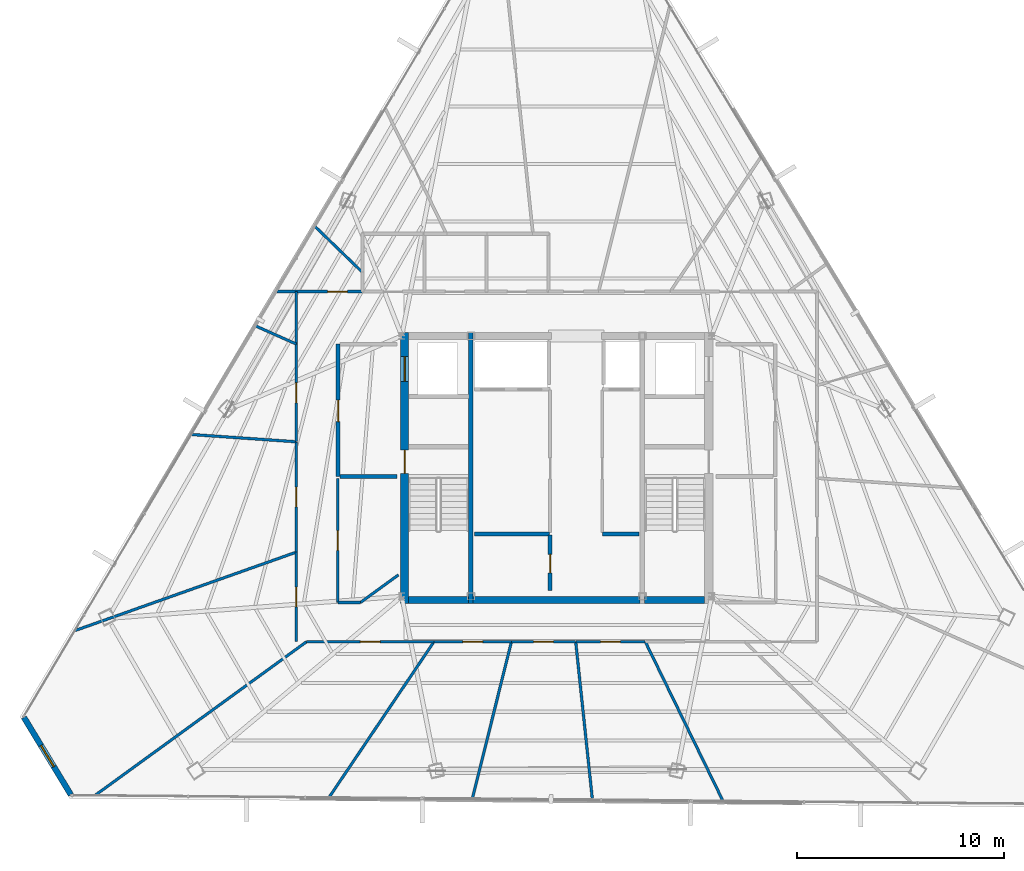
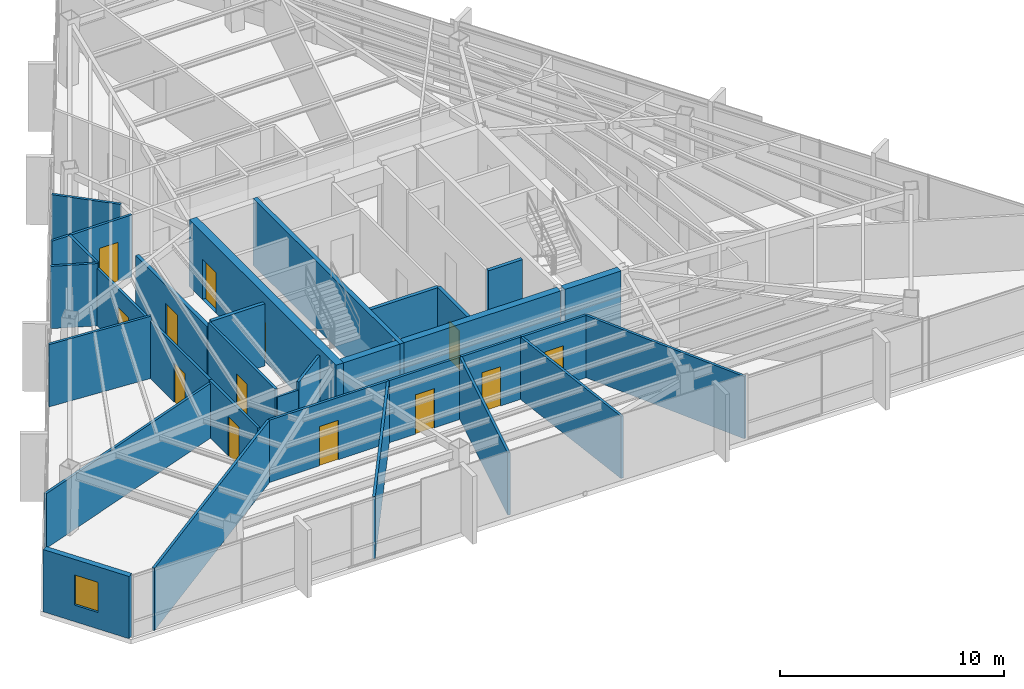
# One storey, part 41 of 46: 32 walls, 13 doors, 1 window, 14 openings.
"""IFC4 building model written with IfcOpenShell, lengths in metres."""

from ifc_helpers import new_model, si_unit, direction, frame, frame_2d, origin, place, context, subcontext, project, spatial, rectangle, extrude, material, layer, layer_set, type_object, element, fill, save


model = new_model("IFC4")

# Units and contexts
model_context = context("Model", 3, precision=1e-05, world=origin(), true_north=direction((0.0, 1.0)))
body_context = subcontext(model_context, "Body", "Model", "MODEL_VIEW")
ifc_project = project(units=[si_unit("LENGTHUNIT", "METRE"), si_unit("AREAUNIT", "SQUARE_METRE"), si_unit("VOLUMEUNIT", "CUBIC_METRE"), si_unit("PLANEANGLEUNIT", "RADIAN"), si_unit("MASSUNIT", "GRAM", prefix="KILO")], contexts=[model_context])

# Site, building, storey
site_placement = place(None, origin())
site = spatial("IfcSite", under=ifc_project, at=site_placement, CompositionType="ELEMENT")
building_placement = place(site_placement, origin())
building = spatial("IfcBuilding", under=site, at=building_placement, Name="Caelisora Broadcast Tower", CompositionType="ELEMENT")
storey_placement = place(building_placement, frame((0.0, 0.0, 237.14990234375)))
storey = spatial("IfcBuildingStorey", under=building, at=storey_placement, Name="L62", CompositionType="ELEMENT", Elevation=237.14990234375)

# Wall, openings, doors
ifc_material_1 = material(Name="Concrete 40 MPa (AS 3600 N40)", Category="concrete")
ifc_layer_1 = layer(ifc_material_1, 0.39990234375, Name="Concrete 40 MPa (AS 3600 N40)")
ifc_layer_set_1 = layer_set([ifc_layer_1], Name="Concrete 40 MPa (AS 3600 N40)")
wall_type_1 = type_object("IfcWallType", Name="CW3", PredefinedType="SHEAR", material=ifc_layer_set_1)
wall_1_placement = place(storey_placement, frame((30.639892578125, 17.050048828125, 0.0), z_axis=(0.0, 0.0, 1.0), x_axis=(0.0, 1.0, 0.0)))
wall_1 = element("IfcWall", 1, at=wall_1_placement, inside=storey, type_object=wall_type_1, Name="L62 core shear wall CW3", PredefinedType="SHEAR", context=body_context, shape_type="SweptSolid", body=[
    extrude(rectangle(XDim=13.125, YDim=0.39990234375, at=frame_2d((6.5625, 0.0))), origin(), (0.0, 0.0, 1.0), 3.650146484375),
])
opening_1_placement = place(wall_1_placement, frame((6.300048828125, 0.0, 0.0)))
opening_1 = element("IfcOpeningElement", 2, at=opening_1_placement, cuts=wall_1, Name="Opening FD04", PredefinedType="OPENING", context=body_context, shape_type="SweptSolid", body=[
    extrude(rectangle(XDim=1.1201171875, YDim=2.14990234375, at=frame_2d((0.56005859375, 1.074951171875))), frame((0.0, 0.2119140625, 0.0), z_axis=(0.0, -1.0, 0.0), x_axis=(1.0, 0.0, 0.0)), (0.0, 0.0, 1.0), 0.423828125),
])
opening_2_placement = place(wall_1_placement, frame((10.75, 0.0, 0.0)))
opening_2 = element("IfcOpeningElement", 3, at=opening_2_placement, cuts=wall_1, Name="Opening LD04", PredefinedType="OPENING", context=body_context, shape_type="SweptSolid", body=[
    extrude(rectangle(XDim=1.199951171875, YDim=2.199951171875, at=frame_2d((0.60009765625, 1.10009765625))), frame((0.0, 0.2119140625, 0.0), z_axis=(0.0, -1.0, 0.0), x_axis=(1.0, 0.0, 0.0)), (0.0, 0.0, 1.0), 0.423828125),
])
ifc_material_2 = material(Name="Pressurised Fire-Isolated Stair Door", Category="steel")
door_type_1 = type_object("IfcDoorType", Name="FD04", OperationType="NOTDEFINED", PredefinedType="DOOR", material=ifc_material_2)
door_1_placement = place(opening_1_placement, origin())
door_1 = element("IfcDoor", 4, at=door_1_placement, inside=storey, type_object=door_type_1, Name="L62 door FD04 (L62-DR-ST1)", OperationType="SINGLE_SWING_LEFT", OverallHeight=2.14990234375, OverallWidth=1.1201171875, PredefinedType="DOOR", context=body_context, shape_type="SweptSolid", body=[
    extrude(rectangle(XDim=1.1201171875, YDim=2.14990234375, at=frame_2d((0.56005859375, 1.074951171875))), frame((0.0, 0.02490234375, 0.0), z_axis=(0.0, -1.0, 0.0), x_axis=(1.0, 0.0, 0.0)), (0.0, 0.0, 1.0), 0.050048828125),
])
fill(opening_1, door_1)
ifc_material_3 = material(Name="Emergency Firefighting Lift Sliding Landing Door", Category="steel")
door_type_2 = type_object("IfcDoorType", Name="LD04", OperationType="NOTDEFINED", PredefinedType="DOOR", material=ifc_material_3)
door_2_placement = place(opening_2_placement, origin())
door_2 = element("IfcDoor", 5, at=door_2_placement, inside=storey, type_object=door_type_2, Name="L62 door LD04 (L62-LD-FFL1)", OperationType="SLIDING_TO_LEFT", OverallHeight=2.199951171875, OverallWidth=1.199951171875, PredefinedType="DOOR", context=body_context, shape_type="SweptSolid", body=[
    extrude(rectangle(XDim=1.199951171875, YDim=2.199951171875, at=frame_2d((0.60009765625, 1.10009765625))), frame((0.0, 0.02490234375, 0.0), z_axis=(0.0, -1.0, 0.0), x_axis=(1.0, 0.0, 0.0)), (0.0, 0.0, 1.0), 0.050048828125),
])
fill(opening_2, door_2)

# Walls
ifc_layer_2 = layer(ifc_material_1, 0.35009765625, Name="Concrete 40 MPa (AS 3600 N40)")
ifc_layer_set_2 = layer_set([ifc_layer_2], Name="Concrete 40 MPa (AS 3600 N40)")
wall_type_2 = type_object("IfcWallType", Name="CW6", PredefinedType="SHEAR", material=ifc_layer_set_2)
wall_2_placement = place(storey_placement, frame((30.840087890625, 17.22509765625, 0.0), z_axis=(0.0, 0.0, 1.0), x_axis=(1.0, 0.0, 0.0)))
element("IfcWall", 6, at=wall_2_placement, inside=storey, type_object=wall_type_2, Name="L62 core shear wall CW6", PredefinedType="SHEAR", context=body_context, shape_type="SweptSolid", body=[
    extrude(rectangle(XDim=2.89990234375, YDim=0.35009765625, at=frame_2d((1.449951171875, 0.0))), origin(), (0.0, 0.0, 1.0), 3.650146484375),
])
wall_3_placement = place(storey_placement, frame((33.9599609375, 17.22509765625, 0.0), z_axis=(0.0, 0.0, 1.0), x_axis=(1.0, 0.0, 0.0)))
element("IfcWall", 7, at=wall_3_placement, inside=storey, type_object=wall_type_2, Name="L62 core shear wall CW6", PredefinedType="SHEAR", context=body_context, shape_type="SweptSolid", body=[
    extrude(rectangle(XDim=8.080078125, YDim=0.35009765625, at=frame_2d((4.0400390625, 0.0))), origin(), (0.0, 0.0, 1.0), 3.650146484375),
])
wall_4_placement = place(storey_placement, frame((42.260009765625, 17.22509765625, 0.0), z_axis=(0.0, 0.0, 1.0), x_axis=(1.0, 0.0, 0.0)))
element("IfcWall", 8, at=wall_4_placement, inside=storey, type_object=wall_type_2, Name="L62 core shear wall CW6", PredefinedType="SHEAR", context=body_context, shape_type="SweptSolid", body=[
    extrude(rectangle(XDim=2.89990234375, YDim=0.35009765625, at=frame_2d((1.449951171875, 0.0))), origin(), (0.0, 0.0, 1.0), 3.650146484375),
])
ifc_material_4 = material(Name="Concrete 50 MPa (AS 3600 S50)", Category="concrete")
ifc_layer_3 = layer(ifc_material_4, 0.219970703125, Name="Concrete 50 MPa (AS 3600 S50)")
ifc_layer_set_3 = layer_set([ifc_layer_3], Name="Concrete 50 MPa (AS 3600 S50)")
wall_type_3 = type_object("IfcWallType", Name="CW7", PredefinedType="SHEAR", material=ifc_layer_set_3)
wall_5_placement = place(storey_placement, frame((33.85009765625, 17.050048828125, 0.0), z_axis=(0.0, 0.0, 1.0), x_axis=(0.0, 1.0, 0.0)))
element("IfcWall", 9, at=wall_5_placement, inside=storey, type_object=wall_type_3, Name="L62 core shear wall CW7", PredefinedType="SHEAR", context=body_context, shape_type="SweptSolid", body=[
    extrude(rectangle(XDim=13.125, YDim=0.219970703125, at=frame_2d((6.5625, 0.0))), origin(), (0.0, 0.0, 1.0), 3.650146484375),
])

# Wall, opening, window
ifc_material_5 = material(Name="Insulated Terracotta Spandrel Wall System", Category="masonry")
ifc_layer_4 = layer(ifc_material_5, 0.280029296875, Name="Insulated Terracotta Spandrel Wall System")
ifc_layer_set_4 = layer_set([ifc_layer_4], Name="Insulated Terracotta Spandrel Wall System")
wall_type_4 = type_object("IfcWallType", Name="EW1", PredefinedType="STANDARD", material=ifc_layer_set_4)
wall_6_placement = place(storey_placement, frame((14.489501953125, 7.797607421875, 0.0), z_axis=(0.0, 0.0, 1.0), x_axis=(-0.518620338566, 0.85500464585, 0.0)))
wall_6 = element("IfcWall", 10, at=wall_6_placement, inside=storey, type_object=wall_type_4, Name="L62 exterior envelope wall EW1", PredefinedType="STANDARD", context=body_context, shape_type="SweptSolid", body=[
    extrude(rectangle(XDim=4.380859375, YDim=0.280029296875, at=frame_2d((2.1904296875, 0.0))), origin(), (0.0, 0.0, 1.0), 3.400146484375),
])
opening_3_placement = place(wall_6_placement, frame((1.590087890625, 0.0, 0.89990234375)))
opening_3 = element("IfcOpeningElement", 11, at=opening_3_placement, cuts=wall_6, Name="Opening W03", PredefinedType="OPENING", context=body_context, shape_type="SweptSolid", body=[
    extrude(rectangle(XDim=1.199951171875, YDim=1.64990234375, at=frame_2d((0.60009765625, 0.824951171875))), frame((0.0, 0.152099609375, 0.0), z_axis=(0.0, -1.0, 0.0), x_axis=(1.0, 0.0, 0.0)), (0.0, 0.0, 1.0), 0.303955078125),
])
ifc_material_6 = material(Name="Double Glazed Corner Vision Window", Category="glass")
window_type = type_object("IfcWindowType", Name="W03", PartitioningType="SINGLE_PANEL", PredefinedType="WINDOW", material=ifc_material_6)
window_placement = place(opening_3_placement, origin())
window = element("IfcWindow", 12, at=window_placement, inside=storey, type_object=window_type, Name="L62 window W03 (L62-WN-CH4)", OverallHeight=1.64990234375, OverallWidth=1.199951171875, PartitioningType="SINGLE_PANEL", PredefinedType="WINDOW", context=body_context, shape_type="SweptSolid", body=[
    extrude(rectangle(XDim=1.199951171875, YDim=1.64990234375, at=frame_2d((0.60009765625, 0.824951171875))), frame((0.0, 0.030029296875, 0.0), z_axis=(0.0, -1.0, 0.0), x_axis=(1.0, 0.0, 0.0)), (0.0, 0.0, 1.0), 0.06005859375),
])
fill(opening_3, window)

# Wall, opening, door
ifc_material_7 = material(Name="Fire-Rated Gypsum Shaft and Compartment Wall", Category="gypsum")
ifc_layer_5 = layer(ifc_material_7, 0.179931640625, Name="Fire-Rated Gypsum Shaft and Compartment Wall")
ifc_layer_set_5 = layer_set([ifc_layer_5], Name="Fire-Rated Gypsum Shaft and Compartment Wall")
wall_type_5 = type_object("IfcWallType", Name="PW2", PredefinedType="PARTITIONING", material=ifc_layer_set_5)
wall_7_placement = place(storey_placement, frame((27.419921875, 23.199951171875, 0.0), z_axis=(0.0, 0.0, 1.0), x_axis=(0.0, 1.0, 0.0)))
wall_7 = element("IfcWall", 13, at=wall_7_placement, inside=storey, type_object=wall_type_5, Name="L62 fire compartment wall PW2", PredefinedType="PARTITIONING", context=body_context, shape_type="SweptSolid", body=[
    extrude(rectangle(XDim=6.400146484375, YDim=0.179931640625, at=frame_2d((3.2001953125, 0.0))), origin(), (0.0, 0.0, 1.0), 3.12890625),
])
opening_4_placement = place(wall_7_placement, frame((2.64990234375, 0.0, 0.0)))
opening_4 = element("IfcOpeningElement", 14, at=opening_4_placement, cuts=wall_7, Name="Opening FD02", PredefinedType="OPENING", context=body_context, shape_type="SweptSolid", body=[
    extrude(rectangle(XDim=1.050048828125, YDim=2.14990234375, at=frame_2d((0.52490234375, 1.074951171875))), frame((0.0, 0.10205078125, 0.0), z_axis=(0.0, -1.0, 0.0), x_axis=(1.0, 0.0, 0.0)), (0.0, 0.0, 1.0), 0.203857421875),
])
ifc_material_8 = material(Name="Single-Leaf Steel Fire Lobby Door", Category="steel")
door_type_3 = type_object("IfcDoorType", Name="FD02", OperationType="NOTDEFINED", PredefinedType="DOOR", material=ifc_material_8)
door_3_placement = place(opening_4_placement, origin())
door_3 = element("IfcDoor", 15, at=door_3_placement, inside=storey, type_object=door_type_3, Name="L62 door FD02 (L62-DR-P01D1)", OperationType="SINGLE_SWING_RIGHT", OverallHeight=2.14990234375, OverallWidth=1.050048828125, PredefinedType="DOOR", context=body_context, shape_type="SweptSolid", body=[
    extrude(rectangle(XDim=1.050048828125, YDim=2.14990234375, at=frame_2d((0.52490234375, 1.074951171875))), frame((0.0, 0.02490234375, 0.0), z_axis=(0.0, -1.0, 0.0), x_axis=(1.0, 0.0, 0.0)), (0.0, 0.0, 1.0), 0.050048828125),
])
fill(opening_4, door_3)

# Walls
wall_8_placement = place(storey_placement, frame((27.52001953125, 23.199951171875, 0.0), z_axis=(0.0, 0.0, 1.0), x_axis=(1.0, 0.0, 0.0)))
element("IfcWall", 16, at=wall_8_placement, inside=storey, type_object=wall_type_5, Name="L62 fire compartment wall PW2", PredefinedType="PARTITIONING", context=body_context, shape_type="SweptSolid", body=[
    extrude(rectangle(XDim=2.760009765625, YDim=0.179931640625, at=frame_2d((1.3798828125, 0.0))), origin(), (0.0, 0.0, 1.0), 3.400146484375),
])
wall_9_placement = place(storey_placement, frame((34.02001953125, 20.419921875, 0.0), z_axis=(0.0, 0.0, 1.0), x_axis=(1.0, 0.0, 0.0)))
element("IfcWall", 17, at=wall_9_placement, inside=storey, type_object=wall_type_5, Name="L62 fire compartment wall PW2", PredefinedType="PARTITIONING", context=body_context, shape_type="SweptSolid", body=[
    extrude(rectangle(XDim=3.639892578125, YDim=0.179931640625, at=frame_2d((1.81982421875, 0.0))), origin(), (0.0, 0.0, 1.0), 3.400146484375),
])
wall_10_placement = place(storey_placement, frame((40.219970703125, 20.419921875, 0.0), z_axis=(0.0, 0.0, 1.0), x_axis=(1.0, 0.0, 0.0)))
element("IfcWall", 18, at=wall_10_placement, inside=storey, type_object=wall_type_5, Name="L62 fire compartment wall PW2", PredefinedType="PARTITIONING", context=body_context, shape_type="SweptSolid", body=[
    extrude(rectangle(XDim=1.760009765625, YDim=0.179931640625, at=frame_2d((0.8798828125, 0.0))), origin(), (0.0, 0.0, 1.0), 3.400146484375),
])

# Wall, opening, door
wall_11_placement = place(storey_placement, frame((37.679931640625, 17.679931640625, 0.0), z_axis=(0.0, 0.0, 1.0), x_axis=(0.0, 1.0, 0.0)))
wall_11 = element("IfcWall", 19, at=wall_11_placement, inside=storey, type_object=wall_type_5, Name="L62 fire compartment wall PW2", PredefinedType="PARTITIONING", context=body_context, shape_type="SweptSolid", body=[
    extrude(rectangle(XDim=2.699951171875, YDim=0.179931640625, at=frame_2d((1.35009765625, 0.0))), origin(), (0.0, 0.0, 1.0), 3.400146484375),
])
opening_5_placement = place(wall_11_placement, frame((0.85009765625, 0.0, 0.0)))
opening_5 = element("IfcOpeningElement", 20, at=opening_5_placement, cuts=wall_11, Name="Opening FD03", PredefinedType="OPENING", context=body_context, shape_type="SweptSolid", body=[
    extrude(rectangle(XDim=0.89990234375, YDim=2.10009765625, at=frame_2d((0.449951171875, 1.050048828125))), frame((0.0, 0.10205078125, 0.0), z_axis=(0.0, -1.0, 0.0), x_axis=(1.0, 0.0, 0.0)), (0.0, 0.0, 1.0), 0.203857421875),
])
ifc_material_9 = material(Name="Single-Leaf Steel Riser Fire Access Door", Category="steel")
door_type_4 = type_object("IfcDoorType", Name="FD03", OperationType="NOTDEFINED", PredefinedType="DOOR", material=ifc_material_9)
door_4_placement = place(opening_5_placement, origin())
door_4 = element("IfcDoor", 21, at=door_4_placement, inside=storey, type_object=door_type_4, Name="L62 door FD03 (L62-DR-P13D1)", OperationType="SINGLE_SWING_RIGHT", OverallHeight=2.10009765625, OverallWidth=0.89990234375, PredefinedType="DOOR", context=body_context, shape_type="SweptSolid", body=[
    extrude(rectangle(XDim=0.89990234375, YDim=2.10009765625, at=frame_2d((0.449951171875, 1.050048828125))), frame((0.0, 0.02490234375, 0.0), z_axis=(0.0, -1.0, 0.0), x_axis=(1.0, 0.0, 0.0)), (0.0, 0.0, 1.0), 0.050048828125),
])
fill(opening_5, door_4)

# Walls
ifc_material_10 = material(Name="Acoustic Steel-Stud Plasterboard Partition", Category="gypsum")
ifc_layer_6 = layer(ifc_material_10, 0.1298828125, Name="Acoustic Steel-Stud Plasterboard Partition")
ifc_layer_set_6 = layer_set([ifc_layer_6], Name="Acoustic Steel-Stud Plasterboard Partition")
wall_type_6 = type_object("IfcWallType", Name="PW3", PredefinedType="PARTITIONING", material=ifc_layer_set_6)
wall_12_placement = place(storey_placement, frame((15.6435546875, 7.757080078125, 0.0), z_axis=(0.0, 0.0, 1.0), x_axis=(0.809077871515, 0.587701452972, 0.0)))
element("IfcWall", 22, at=wall_12_placement, inside=storey, type_object=wall_type_6, Name="L62 internal partition PW3", PredefinedType="PARTITIONING", context=body_context, shape_type="SweptSolid", body=[
    extrude(rectangle(XDim=12.659423828125, YDim=0.1298828125, at=frame_2d((6.32958984375, 0.0))), origin(), (0.0, 0.0, 1.0), 3.400146484375),
])
wall_13_placement = place(storey_placement, frame((14.673828125, 15.7373046875, 0.0), z_axis=(0.0, 0.0, 1.0), x_axis=(0.942525022903, 0.334135573087, 0.0)))
element("IfcWall", 23, at=wall_13_placement, inside=storey, type_object=wall_type_6, Name="L62 internal partition PW3", PredefinedType="PARTITIONING", context=body_context, shape_type="SweptSolid", body=[
    extrude(rectangle(XDim=11.375, YDim=0.1298828125, at=frame_2d((5.6875, 0.0))), origin(), (0.0, 0.0, 1.0), 2.985107421875),
])
wall_14_placement = place(storey_placement, frame((26.974609375, 7.65576171875, 0.0), z_axis=(0.0, 0.0, 1.0), x_axis=(0.558912463553, 0.829226662671, 0.0)))
element("IfcWall", 24, at=wall_14_placement, inside=storey, type_object=wall_type_6, Name="L62 internal partition PW3", PredefinedType="PARTITIONING", context=body_context, shape_type="SweptSolid", body=[
    extrude(rectangle(XDim=9.09326171875, YDim=0.1298828125, at=frame_2d((4.546630859375, 0.0))), origin(), (0.0, 0.0, 1.0), 3.400146484375),
])
wall_15_placement = place(storey_placement, frame((42.2919921875, 15.196044921875, 0.0), z_axis=(0.0, 0.0, 1.0), x_axis=(0.438450542671, -0.898755317999, 0.0)))
element("IfcWall", 25, at=wall_15_placement, inside=storey, type_object=wall_type_6, Name="L62 internal partition PW3", PredefinedType="PARTITIONING", context=body_context, shape_type="SweptSolid", body=[
    extrude(rectangle(XDim=8.57958984375, YDim=0.1298828125, at=frame_2d((4.289794921875, 0.0))), origin(), (0.0, 0.0, 1.0), 3.400146484375),
])
wall_16_placement = place(storey_placement, frame((33.913330078125, 7.593505859375, 0.0), z_axis=(0.0, 0.0, 1.0), x_axis=(0.241978322723, 0.970281655671, 0.0)))
element("IfcWall", 26, at=wall_16_placement, inside=storey, type_object=wall_type_6, Name="L62 internal partition PW3", PredefinedType="PARTITIONING", context=body_context, shape_type="SweptSolid", body=[
    extrude(rectangle(XDim=7.83447265625, YDim=0.1298828125, at=frame_2d((3.917236328125, 0.0))), origin(), (0.0, 0.0, 1.0), 3.400146484375),
])
wall_17_placement = place(storey_placement, frame((38.9208984375, 15.195068359375, 0.0), z_axis=(0.0, 0.0, 1.0), x_axis=(0.105158691801, -0.994455453773, 0.0)))
element("IfcWall", 27, at=wall_17_placement, inside=storey, type_object=wall_type_6, Name="L62 internal partition PW3", PredefinedType="PARTITIONING", context=body_context, shape_type="SweptSolid", body=[
    extrude(rectangle(XDim=7.6962890625, YDim=0.1298828125, at=frame_2d((3.84814453125, 0.0))), origin(), (0.0, 0.0, 1.0), 3.400146484375),
])

# Wall, opening, door
wall_18_placement = place(storey_placement, frame((25.89501953125, 15.199951171875, 0.0), z_axis=(0.0, 0.0, 1.0), x_axis=(1.0, 0.0, 0.0)))
wall_18 = element("IfcWall", 28, at=wall_18_placement, inside=storey, type_object=wall_type_6, Name="L62 internal partition PW3", PredefinedType="PARTITIONING", context=body_context, shape_type="SweptSolid", body=[
    extrude(rectangle(XDim=6.159912109375, YDim=0.1298828125, at=frame_2d((3.080078125, 0.0))), origin(), (0.0, 0.0, 1.0), 3.400146484375),
])
opening_6_placement = place(wall_18_placement, frame((2.60009765625, 0.0, 0.0)))
opening_6 = element("IfcOpeningElement", 29, at=opening_6_placement, cuts=wall_18, Name="Opening D01", PredefinedType="OPENING", context=body_context, shape_type="SweptSolid", body=[
    extrude(rectangle(XDim=0.9599609375, YDim=2.14990234375, at=frame_2d((0.47998046875, 1.074951171875))), frame((0.0, 0.076904296875, 0.0), z_axis=(0.0, -1.0, 0.0), x_axis=(1.0, 0.0, 0.0)), (0.0, 0.0, 1.0), 0.15380859375),
])
ifc_material_11 = material(Name="Solid-Core Timber Acoustic Office Door", Category="wood")
door_type_5 = type_object("IfcDoorType", Name="D01", OperationType="NOTDEFINED", PredefinedType="DOOR", material=ifc_material_11)
door_5_placement = place(opening_6_placement, origin())
door_5 = element("IfcDoor", 30, at=door_5_placement, inside=storey, type_object=door_type_5, Name="L62 door D01 (L62-DR-P42D1)", OperationType="SINGLE_SWING_RIGHT", OverallHeight=2.14990234375, OverallWidth=0.9599609375, PredefinedType="DOOR", context=body_context, shape_type="SweptSolid", body=[
    extrude(rectangle(XDim=0.9599609375, YDim=2.14990234375, at=frame_2d((0.47998046875, 1.074951171875))), frame((0.0, 0.02490234375, 0.0), z_axis=(0.0, -1.0, 0.0), x_axis=(1.0, 0.0, 0.0)), (0.0, 0.0, 1.0), 0.050048828125),
])
fill(opening_6, door_5)

wall_19_placement = place(storey_placement, frame((27.39990234375, 17.10498046875, 0.0), z_axis=(0.0, 0.0, 1.0), x_axis=(0.0, 1.0, 0.0)))
wall_19 = element("IfcWall", 31, at=wall_19_placement, inside=storey, type_object=wall_type_6, Name="L62 internal partition PW3", PredefinedType="PARTITIONING", context=body_context, shape_type="SweptSolid", body=[
    extrude(rectangle(XDim=6.0, YDim=0.1298828125, at=frame_2d((3.0, 0.0))), origin(), (0.0, 0.0, 1.0), 3.400146484375),
])
opening_7_placement = place(wall_19_placement, frame((2.52001953125, 0.0, 0.0)))
opening_7 = element("IfcOpeningElement", 32, at=opening_7_placement, cuts=wall_19, Name="Opening D01", PredefinedType="OPENING", context=body_context, shape_type="SweptSolid", body=[
    extrude(rectangle(XDim=0.9599609375, YDim=2.14990234375, at=frame_2d((0.47998046875, 1.074951171875))), frame((0.0, 0.076904296875, 0.0), z_axis=(0.0, -1.0, 0.0), x_axis=(1.0, 0.0, 0.0)), (0.0, 0.0, 1.0), 0.15380859375),
])
door_6_placement = place(opening_7_placement, origin())
door_6 = element("IfcDoor", 33, at=door_6_placement, inside=storey, type_object=door_type_5, Name="L62 door D01 (L62-DR-P43D1)", OperationType="SINGLE_SWING_LEFT", OverallHeight=2.14990234375, OverallWidth=0.9599609375, PredefinedType="DOOR", context=body_context, shape_type="SweptSolid", body=[
    extrude(rectangle(XDim=0.9599609375, YDim=2.14990234375, at=frame_2d((0.47998046875, 1.074951171875))), frame((0.0, 0.02490234375, 0.0), z_axis=(0.0, -1.0, 0.0), x_axis=(1.0, 0.0, 0.0)), (0.0, 0.0, 1.0), 0.050048828125),
])
fill(opening_7, door_6)

wall_20_placement = place(storey_placement, frame((25.39990234375, 19.544921875, 0.0), z_axis=(0.0, 0.0, 1.0), x_axis=(0.0, 1.0, 0.0)))
wall_20 = element("IfcWall", 34, at=wall_20_placement, inside=storey, type_object=wall_type_6, Name="L62 internal partition PW3", PredefinedType="PARTITIONING", context=body_context, shape_type="SweptSolid", body=[
    extrude(rectangle(XDim=5.330078125, YDim=0.1298828125, at=frame_2d((2.6650390625, 0.0))), origin(), (0.0, 0.0, 1.0), 3.12890625),
])
opening_8_placement = place(wall_20_placement, frame((2.18505859375, 0.0, 0.0)))
opening_8 = element("IfcOpeningElement", 35, at=opening_8_placement, cuts=wall_20, Name="Opening D01", PredefinedType="OPENING", context=body_context, shape_type="SweptSolid", body=[
    extrude(rectangle(XDim=0.9599609375, YDim=2.14990234375, at=frame_2d((0.47998046875, 1.074951171875))), frame((0.0, 0.076904296875, 0.0), z_axis=(0.0, -1.0, 0.0), x_axis=(1.0, 0.0, 0.0)), (0.0, 0.0, 1.0), 0.15380859375),
])
door_7_placement = place(opening_8_placement, origin())
door_7 = element("IfcDoor", 36, at=door_7_placement, inside=storey, type_object=door_type_5, Name="L62 door D01 (L62-DR-P46D1)", OperationType="SINGLE_SWING_RIGHT", OverallHeight=2.14990234375, OverallWidth=0.9599609375, PredefinedType="DOOR", context=body_context, shape_type="SweptSolid", body=[
    extrude(rectangle(XDim=0.9599609375, YDim=2.14990234375, at=frame_2d((0.47998046875, 1.074951171875))), frame((0.0, 0.02490234375, 0.0), z_axis=(0.0, -1.0, 0.0), x_axis=(1.0, 0.0, 0.0)), (0.0, 0.0, 1.0), 0.050048828125),
])
fill(opening_8, door_7)

# Wall
wall_21_placement = place(storey_placement, frame((20.3173828125, 25.232421875, 0.0), z_axis=(0.0, 0.0, 1.0), x_axis=(0.997598433775, -0.069263012711, 0.0)))
element("IfcWall", 37, at=wall_21_placement, inside=storey, type_object=wall_type_6, Name="L62 internal partition PW3", PredefinedType="PARTITIONING", context=body_context, shape_type="SweptSolid", body=[
    extrude(rectangle(XDim=5.08984375, YDim=0.1298828125, at=frame_2d((2.544921875, 0.0))), origin(), (0.0, 0.0, 1.0), 3.400146484375),
])

# Wall, opening, door
wall_22_placement = place(storey_placement, frame((25.39990234375, 24.885009765625, 0.0), z_axis=(0.0, 0.0, 1.0), x_axis=(0.0, 1.0, 0.0)))
wall_22 = element("IfcWall", 38, at=wall_22_placement, inside=storey, type_object=wall_type_6, Name="L62 internal partition PW3", PredefinedType="PARTITIONING", context=body_context, shape_type="SweptSolid", body=[
    extrude(rectangle(XDim=4.719970703125, YDim=0.1298828125, at=frame_2d((2.35986328125, 0.0))), origin(), (0.0, 0.0, 1.0), 3.12890625),
])
opening_9_placement = place(wall_22_placement, frame((1.8798828125, 0.0, 0.0)))
opening_9 = element("IfcOpeningElement", 39, at=opening_9_placement, cuts=wall_22, Name="Opening D01", PredefinedType="OPENING", context=body_context, shape_type="SweptSolid", body=[
    extrude(rectangle(XDim=0.9599609375, YDim=2.14990234375, at=frame_2d((0.47998046875, 1.074951171875))), frame((0.0, 0.076904296875, 0.0), z_axis=(0.0, -1.0, 0.0), x_axis=(1.0, 0.0, 0.0)), (0.0, 0.0, 1.0), 0.15380859375),
])
door_8_placement = place(opening_9_placement, origin())
door_8 = element("IfcDoor", 40, at=door_8_placement, inside=storey, type_object=door_type_5, Name="L62 door D01 (L62-DR-P50D1)", OperationType="SINGLE_SWING_LEFT", OverallHeight=2.14990234375, OverallWidth=0.9599609375, PredefinedType="DOOR", context=body_context, shape_type="SweptSolid", body=[
    extrude(rectangle(XDim=0.9599609375, YDim=2.14990234375, at=frame_2d((0.47998046875, 1.074951171875))), frame((0.0, 0.02490234375, 0.0), z_axis=(0.0, -1.0, 0.0), x_axis=(1.0, 0.0, 0.0)), (0.0, 0.0, 1.0), 0.050048828125),
])
fill(opening_9, door_8)

wall_23_placement = place(storey_placement, frame((25.39990234375, 19.534912109375, 0.0), z_axis=(0.0, 0.0, 1.0), x_axis=(0.0, -1.0, 0.0)))
wall_23 = element("IfcWall", 41, at=wall_23_placement, inside=storey, type_object=wall_type_6, Name="L62 internal partition PW3", PredefinedType="PARTITIONING", context=body_context, shape_type="SweptSolid", body=[
    extrude(rectangle(XDim=4.329833984375, YDim=0.1298828125, at=frame_2d((2.1650390625, 0.0))), origin(), (0.0, 0.0, 1.0), 3.12890625),
])
opening_10_placement = place(wall_23_placement, frame((1.68505859375, 0.0, 0.0)))
opening_10 = element("IfcOpeningElement", 42, at=opening_10_placement, cuts=wall_23, Name="Opening D01", PredefinedType="OPENING", context=body_context, shape_type="SweptSolid", body=[
    extrude(rectangle(XDim=0.9599609375, YDim=2.14990234375, at=frame_2d((0.47998046875, 1.074951171875))), frame((0.0, 0.076904296875, 0.0), z_axis=(0.0, -1.0, 0.0), x_axis=(1.0, 0.0, 0.0)), (0.0, 0.0, 1.0), 0.15380859375),
])
door_9_placement = place(opening_10_placement, origin())
door_9 = element("IfcDoor", 43, at=door_9_placement, inside=storey, type_object=door_type_5, Name="L62 door D01 (L62-DR-P53D1)", OperationType="SINGLE_SWING_LEFT", OverallHeight=2.14990234375, OverallWidth=0.9599609375, PredefinedType="DOOR", context=body_context, shape_type="SweptSolid", body=[
    extrude(rectangle(XDim=0.9599609375, YDim=2.14990234375, at=frame_2d((0.47998046875, 1.074951171875))), frame((0.0, 0.02490234375, 0.0), z_axis=(0.0, -1.0, 0.0), x_axis=(1.0, 0.0, 0.0)), (0.0, 0.0, 1.0), 0.050048828125),
])
fill(opening_10, door_9)

wall_24_placement = place(storey_placement, frame((32.06494140625, 15.199951171875, 0.0), z_axis=(0.0, 0.0, 1.0), x_axis=(1.0, 0.0, 0.0)))
wall_24 = element("IfcWall", 44, at=wall_24_placement, inside=storey, type_object=wall_type_6, Name="L62 internal partition PW3", PredefinedType="PARTITIONING", context=body_context, shape_type="SweptSolid", body=[
    extrude(rectangle(XDim=3.739990234375, YDim=0.1298828125, at=frame_2d((1.8701171875, 0.0))), origin(), (0.0, 0.0, 1.0), 3.400146484375),
])
opening_11_placement = place(wall_24_placement, frame((1.389892578125, 0.0, 0.0)))
opening_11 = element("IfcOpeningElement", 45, at=opening_11_placement, cuts=wall_24, Name="Opening D01", PredefinedType="OPENING", context=body_context, shape_type="SweptSolid", body=[
    extrude(rectangle(XDim=0.9599609375, YDim=2.14990234375, at=frame_2d((0.47998046875, 1.074951171875))), frame((0.0, 0.076904296875, 0.0), z_axis=(0.0, -1.0, 0.0), x_axis=(1.0, 0.0, 0.0)), (0.0, 0.0, 1.0), 0.15380859375),
])
door_10_placement = place(opening_11_placement, origin())
door_10 = element("IfcDoor", 46, at=door_10_placement, inside=storey, type_object=door_type_5, Name="L62 door D01 (L62-DR-P54D1)", OperationType="SINGLE_SWING_RIGHT", OverallHeight=2.14990234375, OverallWidth=0.9599609375, PredefinedType="DOOR", context=body_context, shape_type="SweptSolid", body=[
    extrude(rectangle(XDim=0.9599609375, YDim=2.14990234375, at=frame_2d((0.47998046875, 1.074951171875))), frame((0.0, 0.02490234375, 0.0), z_axis=(0.0, -1.0, 0.0), x_axis=(1.0, 0.0, 0.0)), (0.0, 0.0, 1.0), 0.050048828125),
])
fill(opening_11, door_10)

wall_25_placement = place(storey_placement, frame((38.925048828125, 15.199951171875, 0.0), z_axis=(0.0, 0.0, 1.0), x_axis=(1.0, 0.0, 0.0)))
wall_25 = element("IfcWall", 47, at=wall_25_placement, inside=storey, type_object=wall_type_6, Name="L62 internal partition PW3", PredefinedType="PARTITIONING", context=body_context, shape_type="SweptSolid", body=[
    extrude(rectangle(XDim=3.35986328125, YDim=0.1298828125, at=frame_2d((1.679931640625, 0.0))), origin(), (0.0, 0.0, 1.0), 3.400146484375),
])
opening_12_placement = place(wall_25_placement, frame((1.199951171875, 0.0, 0.0)))
opening_12 = element("IfcOpeningElement", 48, at=opening_12_placement, cuts=wall_25, Name="Opening D01", PredefinedType="OPENING", context=body_context, shape_type="SweptSolid", body=[
    extrude(rectangle(XDim=0.9599609375, YDim=2.14990234375, at=frame_2d((0.47998046875, 1.074951171875))), frame((0.0, 0.076904296875, 0.0), z_axis=(0.0, -1.0, 0.0), x_axis=(1.0, 0.0, 0.0)), (0.0, 0.0, 1.0), 0.15380859375),
])
door_11_placement = place(opening_12_placement, origin())
door_11 = element("IfcDoor", 49, at=door_11_placement, inside=storey, type_object=door_type_5, Name="L62 door D01 (L62-DR-P58D1)", OperationType="SINGLE_SWING_RIGHT", OverallHeight=2.14990234375, OverallWidth=0.9599609375, PredefinedType="DOOR", context=body_context, shape_type="SweptSolid", body=[
    extrude(rectangle(XDim=0.9599609375, YDim=2.14990234375, at=frame_2d((0.47998046875, 1.074951171875))), frame((0.0, 0.02490234375, 0.0), z_axis=(0.0, -1.0, 0.0), x_axis=(1.0, 0.0, 0.0)), (0.0, 0.0, 1.0), 0.050048828125),
])
fill(opening_12, door_11)

# Wall
wall_26_placement = place(storey_placement, frame((26.301513671875, 35.30078125, 0.0), z_axis=(0.0, 0.0, 1.0), x_axis=(0.719016412059, -0.694993092908, 0.0)))
element("IfcWall", 50, at=wall_26_placement, inside=storey, type_object=wall_type_6, Name="L62 internal partition PW3", PredefinedType="PARTITIONING", context=body_context, shape_type="SweptSolid", body=[
    extrude(rectangle(XDim=3.191162109375, YDim=0.1298828125, at=frame_2d((1.595703125, 0.0))), origin(), (0.0, 0.0, 1.0), 3.400146484375),
])

# Wall, opening, door
wall_27_placement = place(storey_placement, frame((24.45458984375, 32.14990234375, 0.0), z_axis=(0.0, 0.0, 1.0), x_axis=(1.0, 0.0, 0.0)))
wall_27 = element("IfcWall", 51, at=wall_27_placement, inside=storey, type_object=wall_type_6, Name="L62 internal partition PW3", PredefinedType="PARTITIONING", context=body_context, shape_type="SweptSolid", body=[
    extrude(rectangle(XDim=4.140380859375, YDim=0.1298828125, at=frame_2d((2.0703125, 0.0))), origin(), (0.0, 0.0, 1.0), 3.400146484375),
])
opening_13_placement = place(wall_27_placement, frame((2.4599609375, 0.0, 0.0)))
opening_13 = element("IfcOpeningElement", 52, at=opening_13_placement, cuts=wall_27, Name="Opening D01", PredefinedType="OPENING", context=body_context, shape_type="SweptSolid", body=[
    extrude(rectangle(XDim=0.9599609375, YDim=2.14990234375, at=frame_2d((0.47998046875, 1.074951171875))), frame((0.0, 0.076904296875, 0.0), z_axis=(0.0, -1.0, 0.0), x_axis=(1.0, 0.0, 0.0)), (0.0, 0.0, 1.0), 0.15380859375),
])
door_12_placement = place(opening_13_placement, origin())
door_12 = element("IfcDoor", 53, at=door_12_placement, inside=storey, type_object=door_type_5, Name="L62 door D01 (L62-DR-P60D1)", OperationType="SINGLE_SWING_LEFT", OverallHeight=2.14990234375, OverallWidth=0.9599609375, PredefinedType="DOOR", context=body_context, shape_type="SweptSolid", body=[
    extrude(rectangle(XDim=0.9599609375, YDim=2.14990234375, at=frame_2d((0.47998046875, 1.074951171875))), frame((0.0, 0.02490234375, 0.0), z_axis=(0.0, -1.0, 0.0), x_axis=(1.0, 0.0, 0.0)), (0.0, 0.0, 1.0), 0.050048828125),
])
fill(opening_13, door_12)

wall_28_placement = place(storey_placement, frame((35.81494140625, 15.199951171875, 0.0), z_axis=(0.0, 0.0, 1.0), x_axis=(1.0, 0.0, 0.0)))
wall_28 = element("IfcWall", 54, at=wall_28_placement, inside=storey, type_object=wall_type_6, Name="L62 internal partition PW3", PredefinedType="PARTITIONING", context=body_context, shape_type="SweptSolid", body=[
    extrude(rectangle(XDim=3.10009765625, YDim=0.1298828125, at=frame_2d((1.550048828125, 0.0))), origin(), (0.0, 0.0, 1.0), 3.400146484375),
])
opening_14_placement = place(wall_28_placement, frame((1.070068359375, 0.0, 0.0)))
opening_14 = element("IfcOpeningElement", 55, at=opening_14_placement, cuts=wall_28, Name="Opening D01", PredefinedType="OPENING", context=body_context, shape_type="SweptSolid", body=[
    extrude(rectangle(XDim=0.9599609375, YDim=2.14990234375, at=frame_2d((0.47998046875, 1.074951171875))), frame((0.0, 0.076904296875, 0.0), z_axis=(0.0, -1.0, 0.0), x_axis=(1.0, 0.0, 0.0)), (0.0, 0.0, 1.0), 0.15380859375),
])
door_13_placement = place(opening_14_placement, origin())
door_13 = element("IfcDoor", 56, at=door_13_placement, inside=storey, type_object=door_type_5, Name="L62 door D01 (L62-DR-P62D1)", OperationType="SINGLE_SWING_RIGHT", OverallHeight=2.14990234375, OverallWidth=0.9599609375, PredefinedType="DOOR", context=body_context, shape_type="SweptSolid", body=[
    extrude(rectangle(XDim=0.9599609375, YDim=2.14990234375, at=frame_2d((0.47998046875, 1.074951171875))), frame((0.0, 0.02490234375, 0.0), z_axis=(0.0, -1.0, 0.0), x_axis=(1.0, 0.0, 0.0)), (0.0, 0.0, 1.0), 0.050048828125),
])
fill(opening_14, door_13)

# Walls
wall_29_placement = place(storey_placement, frame((25.39990234375, 29.614990234375, 0.0), z_axis=(0.0, 0.0, 1.0), x_axis=(0.0, 1.0, 0.0)))
element("IfcWall", 57, at=wall_29_placement, inside=storey, type_object=wall_type_6, Name="L62 internal partition PW3", PredefinedType="PARTITIONING", context=body_context, shape_type="SweptSolid", body=[
    extrude(rectangle(XDim=2.530029296875, YDim=0.1298828125, at=frame_2d((1.26513671875, 0.0))), origin(), (0.0, 0.0, 1.0), 3.400146484375),
])
wall_30_placement = place(storey_placement, frame((30.339111328125, 18.43603515625, 0.0), z_axis=(0.0, 0.0, 1.0), x_axis=(-0.809089677868, -0.587685199037, 0.0)))
element("IfcWall", 58, at=wall_30_placement, inside=storey, type_object=wall_type_6, Name="L62 internal partition PW3", PredefinedType="PARTITIONING", context=body_context, shape_type="SweptSolid", body=[
    extrude(rectangle(XDim=2.268310546875, YDim=0.1298828125, at=frame_2d((1.13427734375, 0.0))), origin(), (0.0, 0.0, 1.0), 3.400146484375),
])
wall_31_placement = place(storey_placement, frame((23.43701171875, 30.481201171875, 0.0), z_axis=(0.0, 0.0, 1.0), x_axis=(0.913999434268, -0.4057154596, 0.0)))
element("IfcWall", 59, at=wall_31_placement, inside=storey, type_object=wall_type_6, Name="L62 internal partition PW3", PredefinedType="PARTITIONING", context=body_context, shape_type="SweptSolid", body=[
    extrude(rectangle(XDim=2.142333984375, YDim=0.1298828125, at=frame_2d((1.0712890625, 0.0))), origin(), (0.0, 0.0, 1.0), 3.400146484375),
])
wall_32_placement = place(storey_placement, frame((28.4951171875, 17.10009765625, 0.0), z_axis=(0.0, 0.0, 1.0), x_axis=(-1.0, 0.0, 0.0)))
element("IfcWall", 60, at=wall_32_placement, inside=storey, type_object=wall_type_6, Name="L62 internal partition PW3", PredefinedType="PARTITIONING", context=body_context, shape_type="SweptSolid", body=[
    extrude(rectangle(XDim=1.090087890625, YDim=0.1298828125, at=frame_2d((0.544921875, 0.0))), origin(), (0.0, 0.0, 1.0), 2.985107421875),
])

save(model, "model.ifc")
